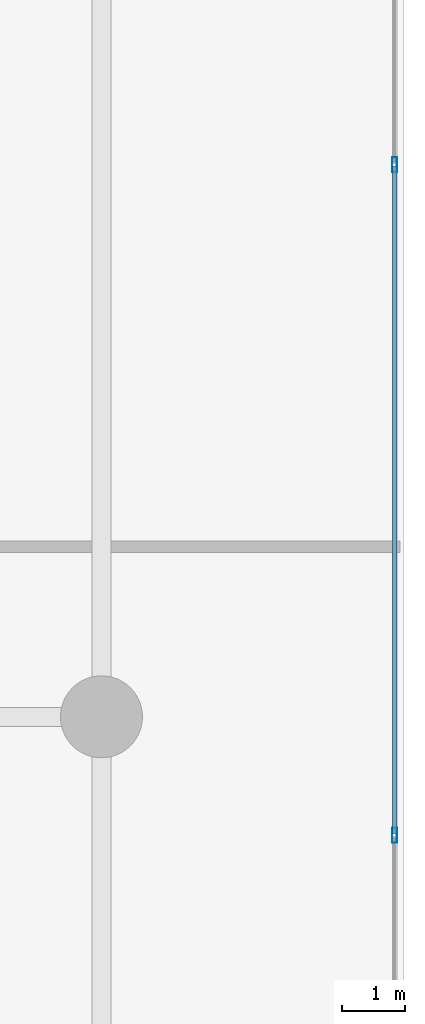
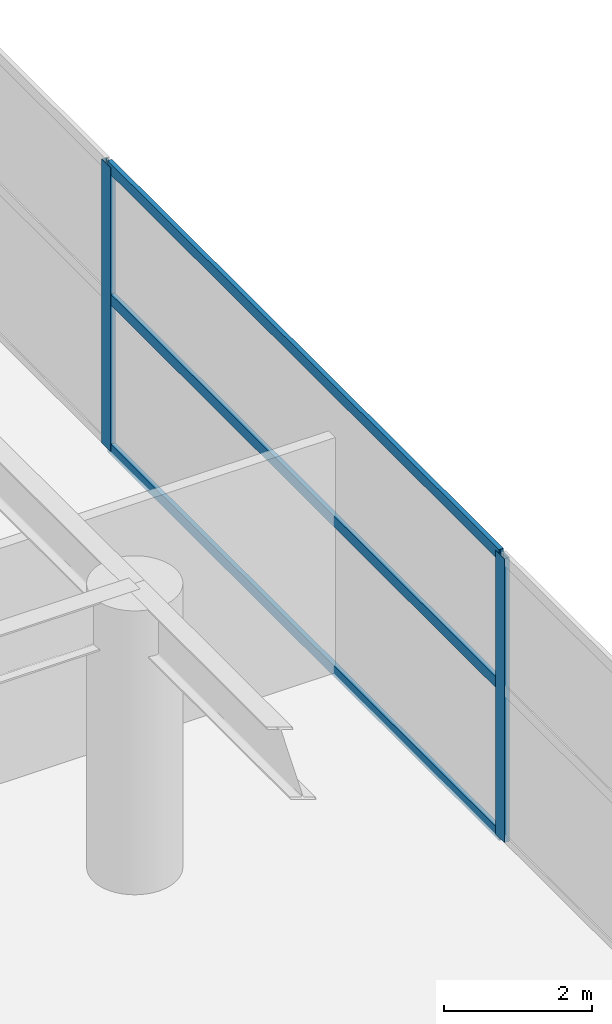
# One storey, part 26 of 35: 5 members, 1 element without a shape of its own.
"""IFC4 building model written with IfcOpenShell, lengths in metres."""

from ifc_helpers import new_model, si_unit, direction, frame, origin, origin_2d, place, context, subcontext, project, spatial, hollow_rectangle, extrude, material, layer, layer_set, material_profile, profile_set, type_object, element, aggregate, save


model = new_model("IFC4")

# Units and contexts
model_context = context("Model", 3, precision=1e-05, world=origin(), true_north=direction((0.0, 1.0)))
body_context = subcontext(model_context, "Body", "Model", "MODEL_VIEW")
ifc_project = project(units=[si_unit("LENGTHUNIT", "METRE"), si_unit("AREAUNIT", "SQUARE_METRE"), si_unit("VOLUMEUNIT", "CUBIC_METRE"), si_unit("PLANEANGLEUNIT", "RADIAN"), si_unit("MASSUNIT", "GRAM", prefix="KILO")], contexts=[model_context])

# Site, building, storey
site_placement = place(None, origin())
site = spatial("IfcSite", under=ifc_project, at=site_placement, CompositionType="ELEMENT")
building_placement = place(site_placement, origin())
building = spatial("IfcBuilding", under=site, at=building_placement, Name="Calvorn Quay Hotel", CompositionType="ELEMENT")
storey_placement = place(building_placement, frame((0.0, 0.0, 12.0)))
storey = spatial("IfcBuildingStorey", under=building, at=storey_placement, Name="L02", CompositionType="ELEMENT", Elevation=12.0)

# Curtain wall, members
ifc_material_1 = material(Name="Pale Anodised Aluminium and Low-E Glass", Category="aluminium")
ifc_layer = layer(ifc_material_1, 0.219970703125)
ifc_layer_set = layer_set([ifc_layer], Name="CW-SYS-POD")
curtain_wall_type = type_object("IfcCurtainWallType", Name="CW-SYS-POD", PredefinedType="NOTDEFINED", material=ifc_layer_set)
curtain_wall_placement = place(storey_placement, origin())
curtain_wall = element("IfcCurtainWall", 1, at=curtain_wall_placement, inside=storey, type_object=curtain_wall_type, Name="Podium Curtain Wall L02-E1", PredefinedType="NOTDEFINED")
ifc_material_2 = material(Name="Pale Anodised Aluminium 6063-T6", Category="aluminium")
ifc_material_profile_1 = material_profile(ifc_material_2, hollow_rectangle(XDim=0.080078125, YDim=0.239990234375, WallThickness=0.0048828125, at=origin_2d()), Name="ALU-M240x80x5")
ifc_profile_set_1 = profile_set([ifc_material_profile_1], Name="Pale Anodised Aluminium 6063-T6")
member_type_1 = type_object("IfcMemberType", Name="CW-SYS-POD-MUL", PredefinedType="MULLION", material=ifc_profile_set_1)
member_1_placement = place(storey_placement, frame((83.85009765625, 34.320068359375, 0.0), z_axis=(0.0, 0.0, 1.0), x_axis=(-1.0, 0.0, 0.0)))
member_1 = element("IfcMember", 2, at=member_1_placement, type_object=member_type_1, Name="CW-L02-E1 mullion 4", PredefinedType="MULLION", context=body_context, shape_type="SweptSolid", body=[
    extrude(hollow_rectangle(XDim=0.080078125, YDim=0.239990234375, WallThickness=0.0048828125, at=origin_2d()), origin(), (0.0, 0.0, 1.0), 4.679931640625),
])
member_2_placement = place(storey_placement, frame((83.85009765625, 44.9599609375, 0.0), z_axis=(0.0, 0.0, 1.0), x_axis=(-1.0, 0.0, 0.0)))
member_2 = element("IfcMember", 3, at=member_2_placement, type_object=member_type_1, Name="CW-L02-E1 mullion 5", PredefinedType="MULLION", context=body_context, shape_type="SweptSolid", body=[
    extrude(hollow_rectangle(XDim=0.080078125, YDim=0.239990234375, WallThickness=0.0048828125, at=origin_2d()), origin(), (0.0, 0.0, 1.0), 4.679931640625),
])
ifc_material_3 = material(Name="Pale Anodised Aluminium 6063-T6", Category="aluminium")
ifc_material_profile_2 = material_profile(ifc_material_3, hollow_rectangle(XDim=0.070068359375, YDim=0.179931640625, WallThickness=0.00390625, at=origin_2d()), Name="ALU-T180x70x4")
ifc_profile_set_2 = profile_set([ifc_material_profile_2], Name="Pale Anodised Aluminium 6063-T6")
member_type_2 = type_object("IfcMemberType", Name="CW-SYS-POD-TRN", PredefinedType="USERDEFINED", material=ifc_profile_set_2)
member_3_placement = place(storey_placement, frame((83.85009765625, 34.35009765625, 0.030029296875), z_axis=(0.0, 1.0, 0.0), x_axis=(-1.0, 0.0, 0.0)))
member_3 = element("IfcMember", 4, at=member_3_placement, type_object=member_type_2, Name="CW-L02-E1 transom 4.1", ObjectType="TRANSOM", PredefinedType="USERDEFINED", context=body_context, shape_type="SweptSolid", body=[
    extrude(hollow_rectangle(XDim=0.070068359375, YDim=0.179931640625, WallThickness=0.00390625, at=origin_2d()), origin(), (0.0, 0.0, 1.0), 10.579833984375),
])
member_4_placement = place(storey_placement, frame((83.85009765625, 34.35009765625, 2.5), z_axis=(0.0, 1.0, 0.0), x_axis=(-1.0, 0.0, 0.0)))
member_4 = element("IfcMember", 5, at=member_4_placement, type_object=member_type_2, Name="CW-L02-E1 transom 4.2", ObjectType="TRANSOM", PredefinedType="USERDEFINED", context=body_context, shape_type="SweptSolid", body=[
    extrude(hollow_rectangle(XDim=0.070068359375, YDim=0.179931640625, WallThickness=0.00390625, at=origin_2d()), origin(), (0.0, 0.0, 1.0), 10.579833984375),
])
member_5_placement = place(storey_placement, frame((83.85009765625, 34.35009765625, 4.64990234375), z_axis=(0.0, 1.0, 0.0), x_axis=(-1.0, 0.0, 0.0)))
member_5 = element("IfcMember", 6, at=member_5_placement, type_object=member_type_2, Name="CW-L02-E1 transom 4.3", ObjectType="TRANSOM", PredefinedType="USERDEFINED", context=body_context, shape_type="SweptSolid", body=[
    extrude(hollow_rectangle(XDim=0.070068359375, YDim=0.179931640625, WallThickness=0.00390625, at=origin_2d()), origin(), (0.0, 0.0, 1.0), 10.579833984375),
])
aggregate(curtain_wall, [member_1, member_2, member_3, member_4, member_5])

save(model, "model.ifc")
